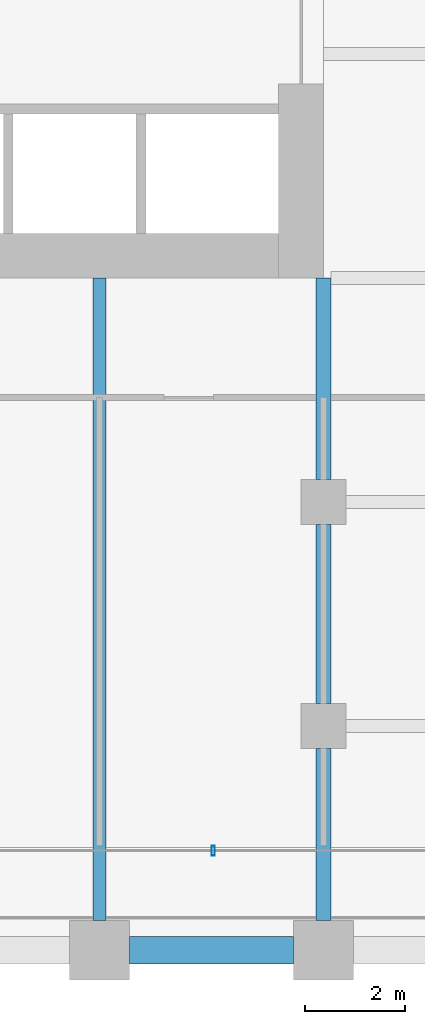
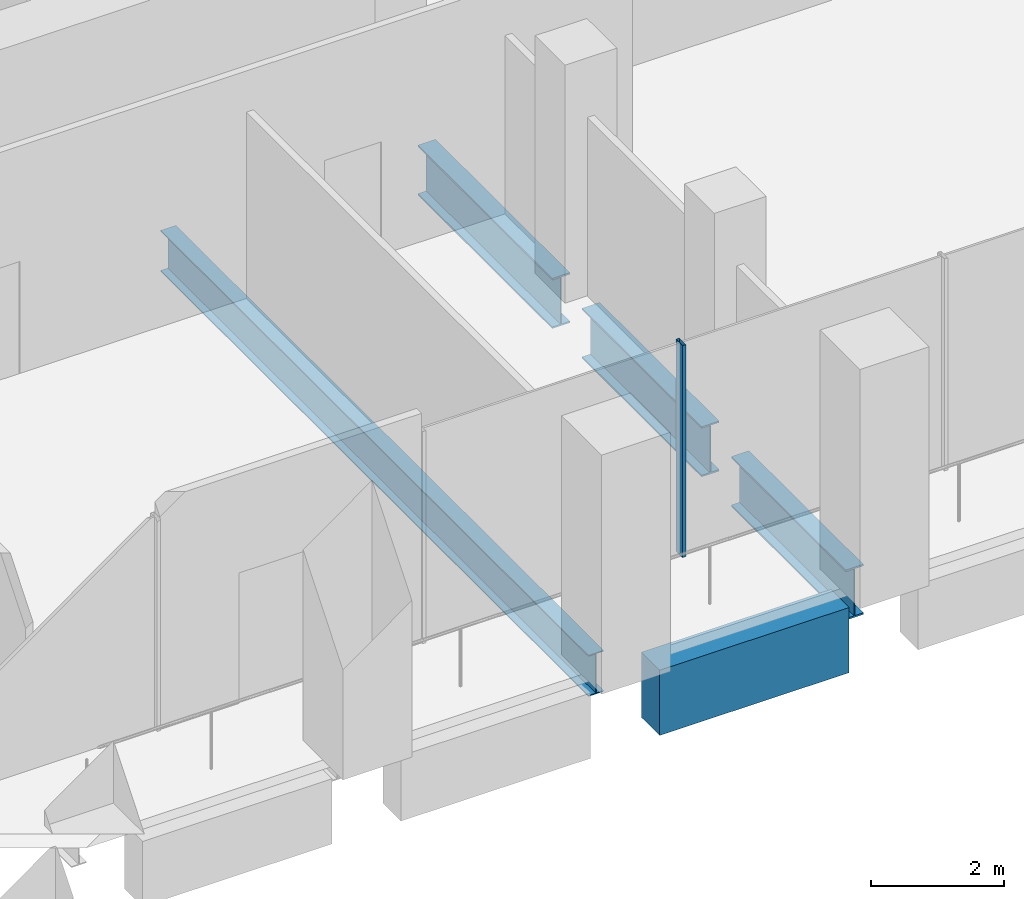
# One storey, part 6 of 36: 5 beams, 1 member, 1 element without a shape of its own.
"""IFC4 building model written with IfcOpenShell, lengths in metres."""

from ifc_helpers import new_model, si_unit, direction, frame, origin, origin_2d, place, context, subcontext, project, spatial, rectangle, hollow_rectangle, i_section, extrude, material, material_profile, profile_set, type_object, element, aggregate, save


model = new_model("IFC4")

# Units and contexts
model_context = context("Model", 3, precision=1e-05, world=origin(), true_north=direction((0.0, 1.0)))
body_context = subcontext(model_context, "Body", "Model", "MODEL_VIEW")
ifc_project = project(units=[si_unit("LENGTHUNIT", "METRE"), si_unit("AREAUNIT", "SQUARE_METRE"), si_unit("VOLUMEUNIT", "CUBIC_METRE"), si_unit("PLANEANGLEUNIT", "RADIAN"), si_unit("MASSUNIT", "GRAM", prefix="KILO")], contexts=[model_context])

# Site, building, storey
site_placement = place(None, origin())
site = spatial("IfcSite", under=ifc_project, at=site_placement, CompositionType="ELEMENT")
building_placement = place(site_placement, origin())
building = spatial("IfcBuilding", under=site, at=building_placement, Name="Altepetl Exchange Towers", CompositionType="ELEMENT")
storey_placement = place(building_placement, frame((0.0, 0.0, 25.39990234375)))
storey = spatial("IfcBuildingStorey", under=building, at=storey_placement, Name="L05", CompositionType="ELEMENT", Elevation=25.39990234375)

# Beams
ifc_material_1 = material(Name="Steel S355", Category="steel")
ifc_material_profile_1 = material_profile(ifc_material_1, i_section(OverallWidth=0.26611328125, OverallDepth=0.758056640625, WebThickness=0.013916015625, FlangeThickness=0.019287109375, at=origin_2d()), Name="W30X108")
ifc_profile_set_1 = profile_set([ifc_material_profile_1], Name="Steel S355")
beam_type_1 = type_object("IfcBeamType", Name="Floor beam W30X108", PredefinedType="BEAM", material=ifc_profile_set_1)
beam_1_placement = place(storey_placement, frame((54.0, 27.60009765625, -0.553955078125), z_axis=(0.0, 1.0, 0.0), x_axis=(-1.0, 0.0, 0.0)))
element("IfcBeam", 1, at=beam_1_placement, inside=storey, type_object=beam_type_1, Name="bm:A:L05:017", PredefinedType="BEAM", context=body_context, shape_type="SweptSolid", body=[
    extrude(i_section(OverallWidth=0.26611328125, OverallDepth=0.758056640625, WebThickness=0.013916015625, FlangeThickness=0.019287109375, at=origin_2d()), origin(), (0.0, 0.0, 1.0), 12.89990234375),
])
ifc_material_profile_2 = material_profile(ifc_material_1, i_section(OverallWidth=0.306884765625, OverallDepth=0.923095703125, WebThickness=0.018310546875, FlangeThickness=0.030029296875, at=origin_2d()), Name="W36X182")
ifc_profile_set_2 = profile_set([ifc_material_profile_2], Name="Steel S355")
beam_type_2 = type_object("IfcBeamType", Name="Girder W36X182", PredefinedType="BEAM", material=ifc_profile_set_2)
beam_2_placement = place(storey_placement, frame((58.5, 40.5, -0.636474609375), z_axis=(0.0, -1.0, 0.0), x_axis=(1.0, 0.0, 0.0)))
element("IfcBeam", 2, at=beam_2_placement, inside=storey, type_object=beam_type_2, Name="gd:A:L05:006", PredefinedType="BEAM", context=body_context, shape_type="SweptSolid", body=[
    extrude(i_section(OverallWidth=0.306884765625, OverallDepth=0.923095703125, WebThickness=0.018310546875, FlangeThickness=0.030029296875, at=origin_2d()), origin(), (0.0, 0.0, 1.0), 4.050048828125),
])
beam_3_placement = place(storey_placement, frame((58.5, 35.550048828125, -0.636474609375), z_axis=(0.0, -1.0, 0.0), x_axis=(1.0, 0.0, 0.0)))
element("IfcBeam", 3, at=beam_3_placement, inside=storey, type_object=beam_type_2, Name="gd:A:L05:007", PredefinedType="BEAM", context=body_context, shape_type="SweptSolid", body=[
    extrude(i_section(OverallWidth=0.306884765625, OverallDepth=0.923095703125, WebThickness=0.018310546875, FlangeThickness=0.030029296875, at=origin_2d()), origin(), (0.0, 0.0, 1.0), 3.60009765625),
])
beam_4_placement = place(storey_placement, frame((58.5, 31.050048828125, -0.636474609375), z_axis=(0.0, -1.0, 0.0), x_axis=(1.0, 0.0, 0.0)))
element("IfcBeam", 4, at=beam_4_placement, inside=storey, type_object=beam_type_2, Name="gd:A:L05:008", PredefinedType="BEAM", context=body_context, shape_type="SweptSolid", body=[
    extrude(i_section(OverallWidth=0.306884765625, OverallDepth=0.923095703125, WebThickness=0.018310546875, FlangeThickness=0.030029296875, at=origin_2d()), origin(), (0.0, 0.0, 1.0), 3.449951171875),
])

# Curtain wall, member
ifc_material_2 = material(Name="Aluminium 6063-T6 glazing", Category="aluminium")
curtain_wall_type = type_object("IfcCurtainWallType", Name="Trading floor glazing system", PredefinedType="NOTDEFINED", material=ifc_material_2)
curtain_wall_placement = place(storey_placement, origin())
curtain_wall = element("IfcCurtainWall", 5, at=curtain_wall_placement, inside=storey, type_object=curtain_wall_type, Name="CW2 run", PredefinedType="NOTDEFINED")
ifc_material_3 = material(Name="Aluminium 6063-T6", Category="aluminium")
ifc_material_profile_3 = material_profile(ifc_material_3, hollow_rectangle(XDim=0.06005859375, YDim=0.199951171875, WallThickness=0.0029296875, at=origin_2d()), Name="Mullion 60x200 aluminium")
ifc_profile_set_3 = profile_set([ifc_material_profile_3], Name="Aluminium 6063-T6")
member_type = type_object("IfcMemberType", Name="Mullion 60x200 aluminium", PredefinedType="MULLION", material=ifc_profile_set_3)
member_placement = place(storey_placement, frame((56.28564453125, 29.0, 0.0)))
member = element("IfcMember", 6, at=member_placement, type_object=member_type, Name="MU2 mullion", PredefinedType="MULLION", context=body_context, shape_type="SweptSolid", body=[
    extrude(hollow_rectangle(XDim=0.06005859375, YDim=0.199951171875, WallThickness=0.0029296875, at=origin_2d()), origin(), (0.0, 0.0, 1.0), 3.900146484375),
])
aggregate(curtain_wall, [member])

# Beam
ifc_material_4 = material(Name="Concrete C50/60 precast with cantera blanca facing", Category="concrete")
ifc_material_profile_4 = material_profile(ifc_material_4, rectangle(XDim=0.550048828125, YDim=1.199951171875, at=origin_2d()), Name="550 x 1200")
ifc_profile_set_4 = profile_set([ifc_material_profile_4], Name="Concrete C50/60 precast with cantera blanca facing")
beam_type_3 = type_object("IfcBeamType", Name="Spandrel beam 550x1200 cantera blanca", PredefinedType="SPANDREL", material=ifc_profile_set_4)
beam_5_placement = place(storey_placement, frame((54.60009765625, 27.0, -0.77490234375), z_axis=(1.0, 0.0, 0.0), x_axis=(0.0, 1.0, 0.0)))
element("IfcBeam", 7, at=beam_5_placement, inside=storey, type_object=beam_type_3, Name="sp:A:L05:005", PredefinedType="SPANDREL", context=body_context, shape_type="SweptSolid", body=[
    extrude(rectangle(XDim=0.550048828125, YDim=1.199951171875, at=origin_2d()), origin(), (0.0, 0.0, 1.0), 3.2998046875),
])

save(model, "model.ifc")
